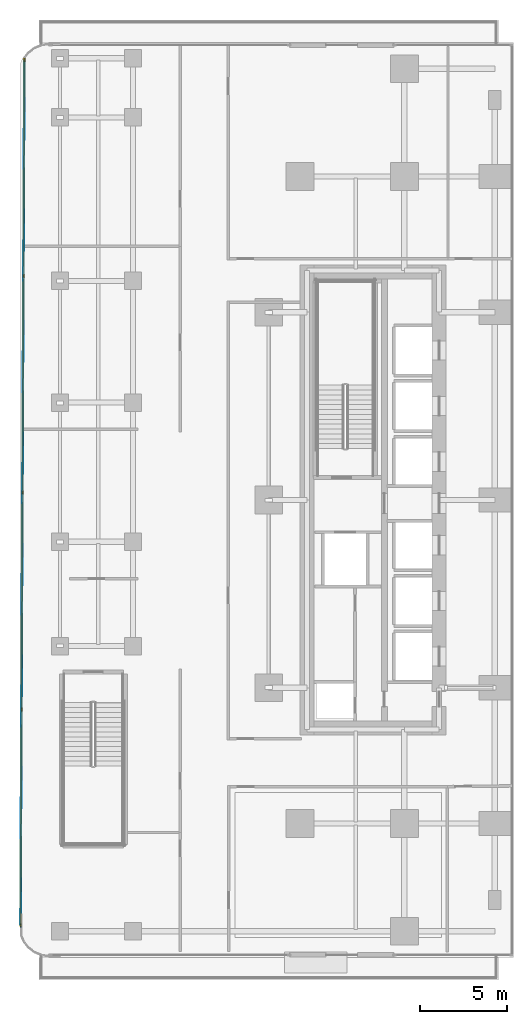
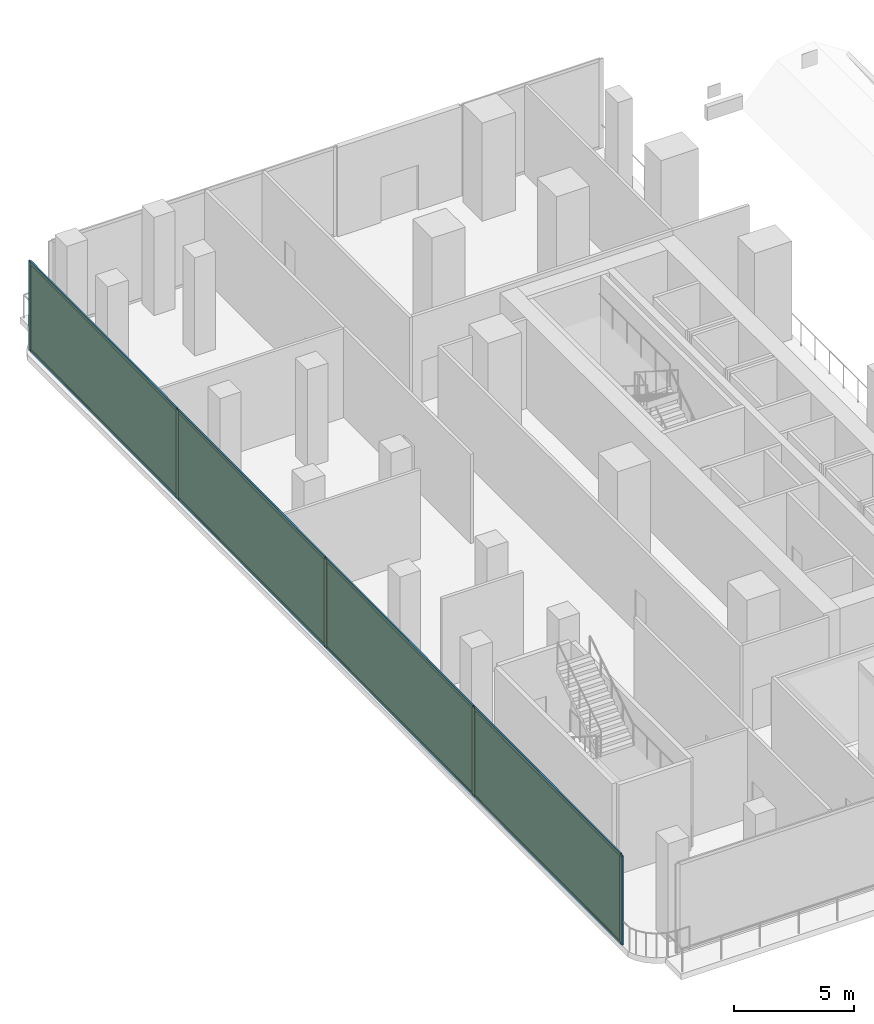
# One storey, part 17 of 32: 13 members, 4 plates, 1 curtain wall.
"""IFC4 building model written with IfcOpenShell, lengths in metres."""

from ifc_helpers import new_model, si_unit, direction, frame, frame_2d, origin, origin_2d, place, context, subcontext, project, spatial, rectangle, extrude, material, layer, layer_set, material_profile, profile_set, type_object, element, aggregate, save


model = new_model("IFC4")

# Units and contexts
model_context = context("Model", 3, precision=1e-05, world=origin(), true_north=direction((0.0, 1.0)))
body_context = subcontext(model_context, "Body", "Model", "MODEL_VIEW")
ifc_project = project(units=[si_unit("LENGTHUNIT", "METRE"), si_unit("AREAUNIT", "SQUARE_METRE"), si_unit("VOLUMEUNIT", "CUBIC_METRE"), si_unit("PLANEANGLEUNIT", "RADIAN"), si_unit("MASSUNIT", "GRAM", prefix="KILO")], contexts=[model_context])

# Member
ifc_material_1 = material(Name="Anodised Bronze Aluminium 6063-T6", Category="aluminium")
ifc_material_profile_1 = material_profile(ifc_material_1, rectangle(XDim=0.074951171875, YDim=0.199951171875, at=origin_2d()))
ifc_profile_set_1 = profile_set([ifc_material_profile_1], Name="Anodised Bronze Aluminium 6063-T6")
member_type_1 = type_object("IfcMemberType", Name="CW-POD Mullion 75x200", PredefinedType="MULLION", material=ifc_profile_set_1)
site_placement = place(None, origin())
building_placement = place(site_placement, origin())
storey_placement = place(building_placement, frame((0.0, 0.0, 16.0)))
member_1_placement = place(storey_placement, frame((-36.459716796875, -24.453369140625, 0.0), z_axis=(0.0, 0.0, 1.0), x_axis=(-0.999989937461, 0.004486086987, 0.0)))
member_1 = element("IfcMember", 1, at=member_1_placement, type_object=member_type_1, Name="CW-POD mullion 1", PredefinedType="MULLION", context=body_context, shape_type="SweptSolid", body=[
    extrude(rectangle(XDim=0.074951171875, YDim=0.199951171875, at=origin_2d()), origin(), (0.0, 0.0, 1.0), 4.550048828125),
])

member_2_placement = place(storey_placement, frame((-36.404052734375, -12.03564453125, 0.0), z_axis=(0.0, 0.0, 1.0), x_axis=(-0.999989937461, 0.004486086987, 0.0)))
member_2 = element("IfcMember", 2, at=member_2_placement, type_object=member_type_1, Name="CW-POD mullion 2", PredefinedType="MULLION", context=body_context, shape_type="SweptSolid", body=[
    extrude(rectangle(XDim=0.074951171875, YDim=0.199951171875, at=origin_2d()), origin(), (0.0, 0.0, 1.0), 4.550048828125),
])

member_3_placement = place(storey_placement, frame((-36.34814453125, 0.419189453125, 0.0), z_axis=(0.0, 0.0, 1.0), x_axis=(-0.999989937461, 0.004486086987, 0.0)))
member_3 = element("IfcMember", 3, at=member_3_placement, type_object=member_type_1, Name="CW-POD mullion 3", PredefinedType="MULLION", context=body_context, shape_type="SweptSolid", body=[
    extrude(rectangle(XDim=0.074951171875, YDim=0.199951171875, at=origin_2d()), origin(), (0.0, 0.0, 1.0), 4.550048828125),
])

member_4_placement = place(storey_placement, frame((-36.29248046875, 12.874267578125, 0.0), z_axis=(0.0, 0.0, 1.0), x_axis=(-0.999989937461, 0.004486086987, 0.0)))
member_4 = element("IfcMember", 4, at=member_4_placement, type_object=member_type_1, Name="CW-POD mullion 4", PredefinedType="MULLION", context=body_context, shape_type="SweptSolid", body=[
    extrude(rectangle(XDim=0.074951171875, YDim=0.199951171875, at=origin_2d()), origin(), (0.0, 0.0, 1.0), 4.550048828125),
])

member_5_placement = place(storey_placement, frame((-36.236572265625, 25.2919921875, 0.0), z_axis=(0.0, 0.0, 1.0), x_axis=(-0.999989937461, 0.004486086987, 0.0)))
member_5 = element("IfcMember", 5, at=member_5_placement, type_object=member_type_1, Name="CW-POD mullion 5", PredefinedType="MULLION", context=body_context, shape_type="SweptSolid", body=[
    extrude(rectangle(XDim=0.074951171875, YDim=0.199951171875, at=origin_2d()), origin(), (0.0, 0.0, 1.0), 4.550048828125),
])

ifc_material_2 = material(Name="Anodised Bronze Aluminium 6063-T6", Category="aluminium")
ifc_material_profile_2 = material_profile(ifc_material_2, rectangle(XDim=0.074951171875, YDim=0.159912109375, at=origin_2d()))
ifc_profile_set_2 = profile_set([ifc_material_profile_2], Name="Anodised Bronze Aluminium 6063-T6")
member_type_2 = type_object("IfcMemberType", Name="CW-POD Transom 75x160", PredefinedType="USERDEFINED", material=ifc_profile_set_2)
member_6_placement = place(storey_placement, frame((-36.459716796875, -24.415771484375, 0.03759765625), z_axis=(0.004490113969, 0.999989919387, 0.0), x_axis=(-0.999989919387, 0.004490113969, 0.0)))
member_6 = element("IfcMember", 6, at=member_6_placement, type_object=member_type_2, Name="CW-POD transom 1.1", ObjectType="TRANSOM", PredefinedType="USERDEFINED", context=body_context, shape_type="SweptSolid", body=[
    extrude(rectangle(XDim=0.074951171875, YDim=0.159912109375, at=origin_2d()), origin(), (0.0, 0.0, 1.0), 12.3427734375),
])

member_7_placement = place(storey_placement, frame((-36.459716796875, -24.415771484375, 4.512451171875), z_axis=(0.004490113969, 0.999989919387, 0.0), x_axis=(-0.999989919387, 0.004490113969, 0.0)))
member_7 = element("IfcMember", 7, at=member_7_placement, type_object=member_type_2, Name="CW-POD transom 1.2", ObjectType="TRANSOM", PredefinedType="USERDEFINED", context=body_context, shape_type="SweptSolid", body=[
    extrude(rectangle(XDim=0.074951171875, YDim=0.159912109375, at=origin_2d()), origin(), (0.0, 0.0, 1.0), 12.3427734375),
])

member_8_placement = place(storey_placement, frame((-36.404052734375, -11.998291015625, 0.03759765625), z_axis=(0.004496197823, 0.999989892051, 0.0), x_axis=(-0.999989892051, 0.004496197823, 0.0)))
member_8 = element("IfcMember", 8, at=member_8_placement, type_object=member_type_2, Name="CW-POD transom 2.1", ObjectType="TRANSOM", PredefinedType="USERDEFINED", context=body_context, shape_type="SweptSolid", body=[
    extrude(rectangle(XDim=0.074951171875, YDim=0.159912109375, at=origin_2d()), origin(), (0.0, 0.0, 1.0), 12.38037109375),
])

member_9_placement = place(storey_placement, frame((-36.404052734375, -11.998291015625, 4.512451171875), z_axis=(0.004496197823, 0.999989892051, 0.0), x_axis=(-0.999989892051, 0.004496197823, 0.0)))
member_9 = element("IfcMember", 9, at=member_9_placement, type_object=member_type_2, Name="CW-POD transom 2.2", ObjectType="TRANSOM", PredefinedType="USERDEFINED", context=body_context, shape_type="SweptSolid", body=[
    extrude(rectangle(XDim=0.074951171875, YDim=0.159912109375, at=origin_2d()), origin(), (0.0, 0.0, 1.0), 12.38037109375),
])

member_10_placement = place(storey_placement, frame((-36.34814453125, 0.456787109375, 0.03759765625), z_axis=(0.004496197823, 0.999989892051, 0.0), x_axis=(-0.999989892051, 0.004496197823, 0.0)))
member_10 = element("IfcMember", 10, at=member_10_placement, type_object=member_type_2, Name="CW-POD transom 3.1", ObjectType="TRANSOM", PredefinedType="USERDEFINED", context=body_context, shape_type="SweptSolid", body=[
    extrude(rectangle(XDim=0.074951171875, YDim=0.159912109375, at=origin_2d()), origin(), (0.0, 0.0, 1.0), 12.38037109375),
])

member_11_placement = place(storey_placement, frame((-36.34814453125, 0.456787109375, 4.512451171875), z_axis=(0.004496197823, 0.999989892051, 0.0), x_axis=(-0.999989892051, 0.004496197823, 0.0)))
member_11 = element("IfcMember", 11, at=member_11_placement, type_object=member_type_2, Name="CW-POD transom 3.2", ObjectType="TRANSOM", PredefinedType="USERDEFINED", context=body_context, shape_type="SweptSolid", body=[
    extrude(rectangle(XDim=0.074951171875, YDim=0.159912109375, at=origin_2d()), origin(), (0.0, 0.0, 1.0), 12.38037109375),
])

member_12_placement = place(storey_placement, frame((-36.292236328125, 12.911865234375, 0.03759765625), z_axis=(0.004490113969, 0.999989919387, 0.0), x_axis=(-0.999989919387, 0.004490113969, 0.0)))
member_12 = element("IfcMember", 12, at=member_12_placement, type_object=member_type_2, Name="CW-POD transom 4.1", ObjectType="TRANSOM", PredefinedType="USERDEFINED", context=body_context, shape_type="SweptSolid", body=[
    extrude(rectangle(XDim=0.074951171875, YDim=0.159912109375, at=origin_2d()), origin(), (0.0, 0.0, 1.0), 12.3427734375),
])

member_13_placement = place(storey_placement, frame((-36.292236328125, 12.911865234375, 4.512451171875), z_axis=(0.004490113969, 0.999989919387, 0.0), x_axis=(-0.999989919387, 0.004490113969, 0.0)))
member_13 = element("IfcMember", 13, at=member_13_placement, type_object=member_type_2, Name="CW-POD transom 4.2", ObjectType="TRANSOM", PredefinedType="USERDEFINED", context=body_context, shape_type="SweptSolid", body=[
    extrude(rectangle(XDim=0.074951171875, YDim=0.159912109375, at=origin_2d()), origin(), (0.0, 0.0, 1.0), 12.3427734375),
])

# Plate
ifc_material_3 = material(Name="Low-E Solar Control Laminated Glass", Category="glass")
ifc_layer_1 = layer(ifc_material_3, 0.031982421875, Name="Low-E Solar Control Laminated Glass")
ifc_layer_set_1 = layer_set([ifc_layer_1], Name="Low-E Solar Control Laminated Glass")
plate_type = type_object("IfcPlateType", Name="CW-POD Low-E Double Glazed Panel 32mm", PredefinedType="CURTAIN_PANEL", material=ifc_layer_set_1)
plate_1_placement = place(storey_placement, frame((-36.431884765625, -18.24462890625, 0.074951171875), z_axis=(0.0, 0.0, 1.0), x_axis=(0.004486086987, 0.999989937461, 0.0)))
plate_1 = element("IfcPlate", 14, at=plate_1_placement, type_object=plate_type, Name="CW-POD panel 1.1", PredefinedType="CURTAIN_PANEL", context=body_context, shape_type="SweptSolid", body=[
    extrude(rectangle(XDim=12.3427734375, YDim=0.031982421875, at=origin_2d()), origin(), (0.0, 0.0, 1.0), 4.39990234375),
])

plate_2_placement = place(storey_placement, frame((-36.376220703125, -5.80810546875, 0.074951171875), z_axis=(0.0, 0.0, 1.0), x_axis=(0.004486086987, 0.999989937461, 0.0)))
plate_2 = element("IfcPlate", 15, at=plate_2_placement, type_object=plate_type, Name="CW-POD panel 2.1", PredefinedType="CURTAIN_PANEL", context=body_context, shape_type="SweptSolid", body=[
    extrude(rectangle(XDim=12.380126953125, YDim=0.031982421875, at=origin_2d()), origin(), (0.0, 0.0, 1.0), 4.39990234375),
])

plate_3_placement = place(storey_placement, frame((-36.3203125, 6.646728515625, 0.074951171875), z_axis=(0.0, 0.0, 1.0), x_axis=(0.004486086987, 0.999989937461, 0.0)))
plate_3 = element("IfcPlate", 16, at=plate_3_placement, type_object=plate_type, Name="CW-POD panel 3.1", PredefinedType="CURTAIN_PANEL", context=body_context, shape_type="SweptSolid", body=[
    extrude(rectangle(XDim=12.380126953125, YDim=0.031982421875, at=origin_2d()), origin(), (0.0, 0.0, 1.0), 4.39990234375),
])

plate_4_placement = place(storey_placement, frame((-36.264404296875, 19.0830078125, 0.074951171875), z_axis=(0.0, 0.0, 1.0), x_axis=(0.004486086987, 0.999989937461, 0.0)))
plate_4 = element("IfcPlate", 17, at=plate_4_placement, type_object=plate_type, Name="CW-POD panel 4.1", PredefinedType="CURTAIN_PANEL", context=body_context, shape_type="SweptSolid", body=[
    extrude(rectangle(XDim=12.3427734375, YDim=0.031982421875, at=origin_2d()), origin(), (0.0, 0.0, 1.0), 4.39990234375),
])

# Site, building, storey
site = spatial("IfcSite", under=ifc_project, at=site_placement, CompositionType="ELEMENT")
building = spatial("IfcBuilding", under=site, at=building_placement, Name="Khairoan Windgate Tower", CompositionType="ELEMENT")
storey = spatial("IfcBuildingStorey", under=building, at=storey_placement, Name="L04", CompositionType="ELEMENT", Elevation=16.0)

# Curtain wall
ifc_material_4 = material(Name="Anodised Bronze Aluminium 6063-T6", Category="aluminium")
ifc_layer_2 = layer(ifc_material_4, 0.199951171875, Name="Anodised Bronze Aluminium 6063-T6")
ifc_layer_set_2 = layer_set([ifc_layer_2], Name="Anodised Bronze Aluminium 6063-T6")
curtain_wall_type = type_object("IfcCurtainWallType", Name="Podium Arch Galleria Curtain Wall CW-POD", PredefinedType="NOTDEFINED", material=ifc_layer_set_2)
curtain_wall_placement = place(storey_placement, frame((-36.4599609375, -24.49072265625, 0.0), z_axis=(0.0, 0.0, 1.0), x_axis=(0.004483864306, 0.99998994743, 0.0)))
curtain_wall = element("IfcCurtainWall", 18, at=curtain_wall_placement, inside=storey, type_object=curtain_wall_type, Name="L04 Stepped Podium Curtain Wall 1.4", PredefinedType="NOTDEFINED", context=body_context, shape_type="SweptSolid", body=[
    extrude(rectangle(XDim=49.820556640625, YDim=0.010009765625, at=frame_2d((24.91015625, 0.0))), origin(), (0.0, 0.0, 1.0), 4.550048828125),
])

aggregate(curtain_wall, [member_1, member_2, member_3, member_4, member_5, member_6, member_7, plate_1, member_8, member_9, plate_2, member_10, member_11, plate_3, member_12, member_13, plate_4])

save(model, "model.ifc")
